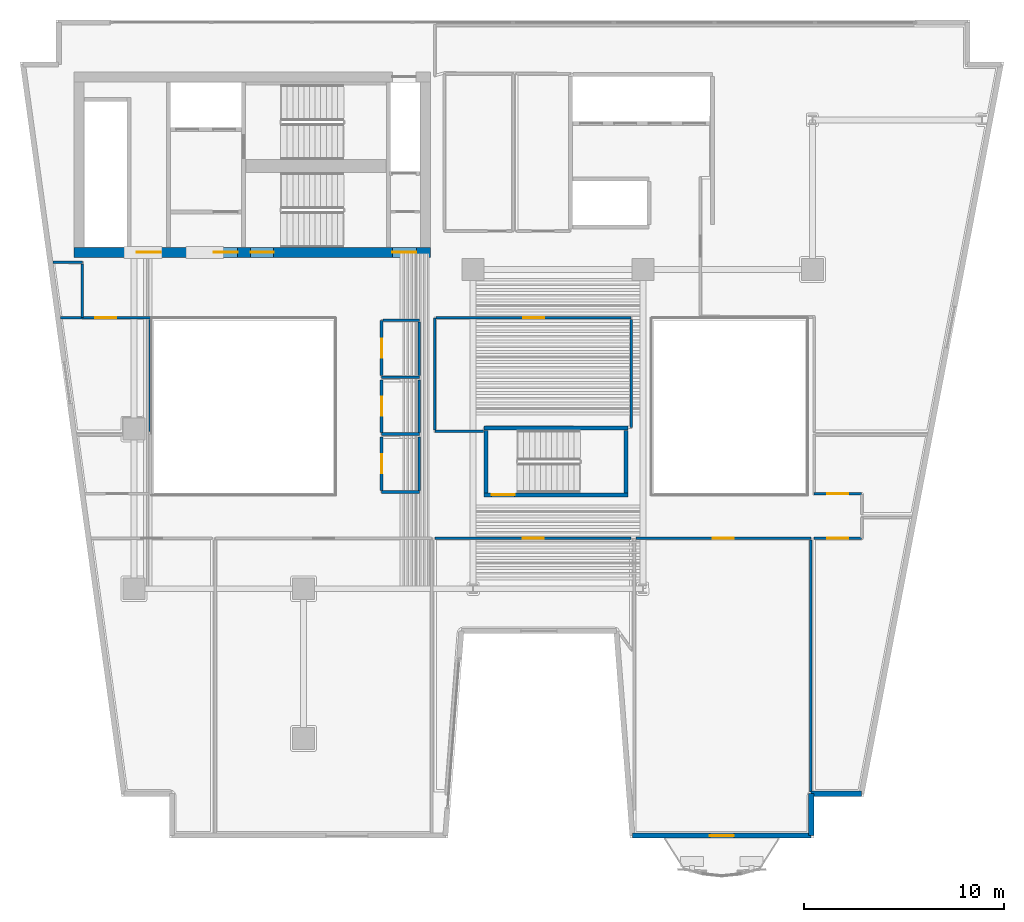
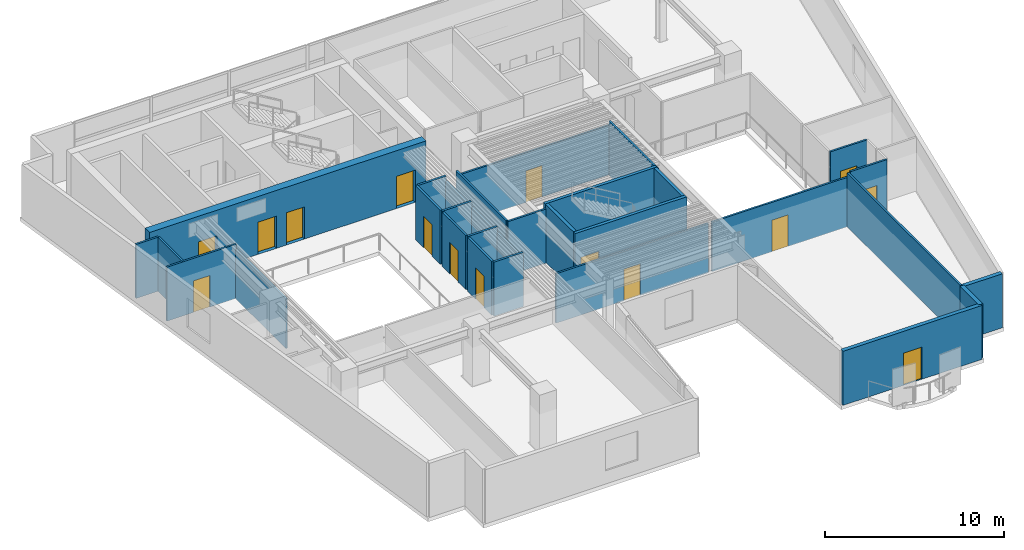
# One storey, part 6 of 13: 31 walls, 15 doors, 15 openings.
"""IFC4 building model written with IfcOpenShell, lengths in metres."""

from ifc_helpers import new_model, si_unit, direction, frame, frame_2d, origin, place, context, subcontext, project, spatial, rectangle, extrude, material, layer, layer_set, type_object, element, fill, save


model = new_model("IFC4")

# Units and contexts
model_context = context("Model", 3, precision=1e-05, world=origin(), true_north=direction((0.0, 1.0)))
body_context = subcontext(model_context, "Body", "Model", "MODEL_VIEW")
ifc_project = project(units=[si_unit("LENGTHUNIT", "METRE"), si_unit("AREAUNIT", "SQUARE_METRE"), si_unit("VOLUMEUNIT", "CUBIC_METRE"), si_unit("PLANEANGLEUNIT", "RADIAN"), si_unit("MASSUNIT", "GRAM", prefix="KILO")], contexts=[model_context])

# Site, building, storey
site_placement = place(None, origin())
site = spatial("IfcSite", under=ifc_project, at=site_placement, CompositionType="ELEMENT")
building_placement = place(site_placement, origin())
building = spatial("IfcBuilding", under=site, at=building_placement, Name="Caeloran Harvest Quay", CompositionType="ELEMENT")
storey_placement = place(building_placement, frame((0.0, 0.0, 127.199951171875)))
storey = spatial("IfcBuildingStorey", under=building, at=storey_placement, Name="L29", CompositionType="ELEMENT", Elevation=127.199951171875)

# Walls
ifc_material_1 = material(Name="Precast concrete C50/60", Category="concrete")
ifc_layer_1 = layer(ifc_material_1, 0.260009765625, Name="Precast concrete C50/60")
ifc_layer_set_1 = layer_set([ifc_layer_1], Name="Precast concrete C50/60")
wall_type_1 = type_object("IfcWallType", Name="ENV-WALL-EW-260", PredefinedType="STANDARD", material=ifc_layer_set_1)
wall_1_placement = place(storey_placement, frame((44.96337890625, 4.72998046875, 0.0), z_axis=(0.0, 0.0, 1.0), x_axis=(-1.0, 0.0, 0.0)))
element("IfcWall", 1, at=wall_1_placement, inside=storey, type_object=wall_type_1, Name="L29 Exterior Precast Concrete Facade Wall 10", PredefinedType="STANDARD", context=body_context, shape_type="SweptSolid", body=[
    extrude(rectangle(XDim=2.5234375, YDim=0.260009765625, at=frame_2d((1.26171875, 0.0))), origin(), (0.0, 0.0, 1.0), 3.68994140625),
])
wall_2_placement = place(storey_placement, frame((42.43994140625, 4.72998046875, 0.0), z_axis=(0.0, 0.0, 1.0), x_axis=(0.0, -1.0, 0.0)))
element("IfcWall", 2, at=wall_2_placement, inside=storey, type_object=wall_type_1, Name="L29 Exterior Precast Concrete Facade Wall 11", PredefinedType="STANDARD", context=body_context, shape_type="SweptSolid", body=[
    extrude(rectangle(XDim=2.10009765625, YDim=0.260009765625, at=frame_2d((1.050048828125, 0.0))), origin(), (0.0, 0.0, 1.0), 3.68994140625),
])

# Wall, opening, door
wall_3_placement = place(storey_placement, frame((42.43994140625, 2.6298828125, 0.0), z_axis=(0.0, 0.0, 1.0), x_axis=(-1.0, 0.0, 0.0)))
wall_3 = element("IfcWall", 3, at=wall_3_placement, inside=storey, type_object=wall_type_1, Name="L29 Exterior Precast Concrete Facade Wall 12", PredefinedType="STANDARD", context=body_context, shape_type="SweptSolid", body=[
    extrude(rectangle(XDim=8.96484375, YDim=0.260009765625, at=frame_2d((4.482421875, 0.0))), origin(), (0.0, 0.0, 1.0), 3.68994140625),
])
opening_1_placement = place(wall_3_placement, frame((3.882080078125, 0.0, 0.0)))
opening_1 = element("IfcOpeningElement", 4, at=opening_1_placement, cuts=wall_3, Name="Opening BD-01", PredefinedType="OPENING", context=body_context, shape_type="SweptSolid", body=[
    extrude(rectangle(XDim=1.199951171875, YDim=2.199951171875, at=frame_2d((0.60009765625, 1.10009765625))), frame((0.0, 0.14013671875, 0.0), z_axis=(0.0, -1.0, 0.0), x_axis=(1.0, 0.0, 0.0)), (0.0, 0.0, 1.0), 0.280029296875),
])
ifc_material_2 = material(Name="Thermally Broken Powder-Coated Aluminium and Safety Glass", Category="aluminium")
door_type_1 = type_object("IfcDoorType", Name="EXTDOOR-BD-01", OperationType="NOTDEFINED", PredefinedType="DOOR", material=ifc_material_2)
door_1_placement = place(opening_1_placement, origin())
door_1 = element("IfcDoor", 5, at=door_1_placement, inside=storey, type_object=door_type_1, Name="L29 Planted Balcony Glazed Access Door", OperationType="SINGLE_SWING_RIGHT", OverallHeight=2.199951171875, OverallWidth=1.199951171875, PredefinedType="DOOR", context=body_context, shape_type="SweptSolid", body=[
    extrude(rectangle(XDim=1.199951171875, YDim=2.199951171875, at=frame_2d((0.60009765625, 1.10009765625))), frame((0.0, 0.02490234375, 0.0), z_axis=(0.0, -1.0, 0.0), x_axis=(1.0, 0.0, 0.0)), (0.0, 0.0, 1.0), 0.050048828125),
])
fill(opening_1, door_1)

ifc_material_3 = material(Name="Twin-Stud Mineral-Wool Acoustic Gypsum Partition", Category="gypsum")
ifc_layer_2 = layer(ifc_material_3, 0.125, Name="Twin-Stud Mineral-Wool Acoustic Gypsum Partition")
ifc_layer_set_2 = layer_set([ifc_layer_2], Name="Twin-Stud Mineral-Wool Acoustic Gypsum Partition")
wall_type_2 = type_object("IfcWallType", Name="INT-WALL-PW-125", PredefinedType="PARTITIONING", material=ifc_layer_set_2)
wall_4_placement = place(storey_placement, frame((33.6474609375, 17.52001953125, 0.0), z_axis=(0.0, 0.0, 1.0), x_axis=(1.0, 0.0, 0.0)))
wall_4 = element("IfcWall", 6, at=wall_4_placement, inside=storey, type_object=wall_type_2, Name="Controlled-Climate Simulation Lab Partition Wall", PredefinedType="PARTITIONING", context=body_context, shape_type="SweptSolid", body=[
    extrude(rectangle(XDim=8.7724609375, YDim=0.125, at=frame_2d((4.38623046875, 0.0))), origin(), (0.0, 0.0, 1.0), 3.375),
])
opening_2_placement = place(wall_4_placement, frame((3.861328125, 0.0, 0.0)))
opening_2 = element("IfcOpeningElement", 7, at=opening_2_placement, cuts=wall_4, Name="Opening ID-03", PredefinedType="OPENING", context=body_context, shape_type="SweptSolid", body=[
    extrude(rectangle(XDim=1.050048828125, YDim=2.14990234375, at=frame_2d((0.52490234375, 1.074951171875))), frame((0.0, 0.072509765625, 0.0), z_axis=(0.0, -1.0, 0.0), x_axis=(1.0, 0.0, 0.0)), (0.0, 0.0, 1.0), 0.14501953125),
])
ifc_material_4 = material(Name="FSC Solid-Core Oak Timber Leaf", Category="wood")
door_type_2 = type_object("IfcDoorType", Name="INTDOOR-ID-03", OperationType="NOTDEFINED", PredefinedType="DOOR", material=ifc_material_4)
door_2_placement = place(opening_2_placement, origin())
door_2 = element("IfcDoor", 8, at=door_2_placement, inside=storey, type_object=door_type_2, Name="Controlled-Climate Simulation Lab Access Door", OperationType="SINGLE_SWING_RIGHT", OverallHeight=2.14990234375, OverallWidth=1.050048828125, PredefinedType="DOOR", context=body_context, shape_type="SweptSolid", body=[
    extrude(rectangle(XDim=1.050048828125, YDim=2.14990234375, at=frame_2d((0.52490234375, 1.074951171875))), frame((0.0, 0.02490234375, 0.0), z_axis=(0.0, -1.0, 0.0), x_axis=(1.0, 0.0, 0.0)), (0.0, 0.0, 1.0), 0.050048828125),
])
fill(opening_2, door_2)

# Wall
wall_5_placement = place(storey_placement, frame((42.419921875, 17.452392578125, 0.0), z_axis=(0.0, 0.0, 1.0), x_axis=(0.0, -1.0, 0.0)))
element("IfcWall", 9, at=wall_5_placement, inside=storey, type_object=wall_type_2, Name="Controlled-Climate Simulation Lab Partition Wall", PredefinedType="PARTITIONING", context=body_context, shape_type="SweptSolid", body=[
    extrude(rectangle(XDim=12.64794921875, YDim=0.125, at=frame_2d((6.323974609375, 0.0))), origin(), (0.0, 0.0, 1.0), 3.68994140625),
])

# Wall, opening, door
wall_6_placement = place(storey_placement, frame((42.580078125, 17.52001953125, 0.0), z_axis=(0.0, 0.0, 1.0), x_axis=(1.0, 0.0, 0.0)))
wall_6 = element("IfcWall", 10, at=wall_6_placement, inside=storey, type_object=wall_type_2, Name="Bio-Security Compliance Office Partition Wall", PredefinedType="PARTITIONING", context=body_context, shape_type="SweptSolid", body=[
    extrude(rectangle(XDim=2.369873046875, YDim=0.125, at=frame_2d((1.18505859375, 0.0))), origin(), (0.0, 0.0, 1.0), 3.68994140625),
])
opening_3_placement = place(wall_6_placement, frame((0.659912109375, 0.0, 0.0)))
opening_3 = element("IfcOpeningElement", 11, at=opening_3_placement, cuts=wall_6, Name="Opening ID-03", PredefinedType="OPENING", context=body_context, shape_type="SweptSolid", body=[
    extrude(rectangle(XDim=1.050048828125, YDim=2.14990234375, at=frame_2d((0.52490234375, 1.074951171875))), frame((0.0, 0.072509765625, 0.0), z_axis=(0.0, -1.0, 0.0), x_axis=(1.0, 0.0, 0.0)), (0.0, 0.0, 1.0), 0.14501953125),
])
door_3_placement = place(opening_3_placement, origin())
door_3 = element("IfcDoor", 12, at=door_3_placement, inside=storey, type_object=door_type_2, Name="Bio-Security Compliance Office Access Door", OperationType="SINGLE_SWING_RIGHT", OverallHeight=2.14990234375, OverallWidth=1.050048828125, PredefinedType="DOOR", context=body_context, shape_type="SweptSolid", body=[
    extrude(rectangle(XDim=1.050048828125, YDim=2.14990234375, at=frame_2d((0.52490234375, 1.074951171875))), frame((0.0, 0.02490234375, 0.0), z_axis=(0.0, -1.0, 0.0), x_axis=(1.0, 0.0, 0.0)), (0.0, 0.0, 1.0), 0.050048828125),
])
fill(opening_3, door_3)

wall_7_placement = place(storey_placement, frame((23.580078125, 17.52001953125, 0.0), z_axis=(0.0, 0.0, 1.0), x_axis=(1.0, 0.0, 0.0)))
wall_7 = element("IfcWall", 13, at=wall_7_placement, inside=storey, type_object=wall_type_2, Name="Boardroom and Client Briefing Room Partition Wall", PredefinedType="PARTITIONING", context=body_context, shape_type="SweptSolid", body=[
    extrude(rectangle(XDim=9.83984375, YDim=0.125, at=frame_2d((4.919921875, 0.0))), origin(), (0.0, 0.0, 1.0), 3.375),
])
opening_4_placement = place(wall_7_placement, frame((4.39501953125, 0.0, 0.0)))
opening_4 = element("IfcOpeningElement", 14, at=opening_4_placement, cuts=wall_7, Name="Opening ID-03", PredefinedType="OPENING", context=body_context, shape_type="SweptSolid", body=[
    extrude(rectangle(XDim=1.050048828125, YDim=2.14990234375, at=frame_2d((0.52490234375, 1.074951171875))), frame((0.0, 0.072509765625, 0.0), z_axis=(0.0, -1.0, 0.0), x_axis=(1.0, 0.0, 0.0)), (0.0, 0.0, 1.0), 0.14501953125),
])
door_4_placement = place(opening_4_placement, origin())
door_4 = element("IfcDoor", 15, at=door_4_placement, inside=storey, type_object=door_type_2, Name="Boardroom and Client Briefing Room Access Door", OperationType="SINGLE_SWING_LEFT", OverallHeight=2.14990234375, OverallWidth=1.050048828125, PredefinedType="DOOR", context=body_context, shape_type="SweptSolid", body=[
    extrude(rectangle(XDim=1.050048828125, YDim=2.14990234375, at=frame_2d((0.52490234375, 1.074951171875))), frame((0.0, 0.02490234375, 0.0), z_axis=(0.0, -1.0, 0.0), x_axis=(1.0, 0.0, 0.0)), (0.0, 0.0, 1.0), 0.050048828125),
])
fill(opening_4, door_4)

wall_8_placement = place(storey_placement, frame((44.949951171875, 19.75, 0.0), z_axis=(0.0, 0.0, 1.0), x_axis=(-1.0, 0.0, 0.0)))
wall_8 = element("IfcWall", 16, at=wall_8_placement, inside=storey, type_object=wall_type_2, Name="Research Library Study Room Partition Wall", PredefinedType="PARTITIONING", context=body_context, shape_type="SweptSolid", body=[
    extrude(rectangle(XDim=2.369873046875, YDim=0.125, at=frame_2d((1.18505859375, 0.0))), origin(), (0.0, 0.0, 1.0), 3.68994140625),
])
opening_5_placement = place(wall_8_placement, frame((0.659912109375, 0.0, 0.0)))
opening_5 = element("IfcOpeningElement", 17, at=opening_5_placement, cuts=wall_8, Name="Opening ID-03", PredefinedType="OPENING", context=body_context, shape_type="SweptSolid", body=[
    extrude(rectangle(XDim=1.050048828125, YDim=2.14990234375, at=frame_2d((0.52490234375, 1.074951171875))), frame((0.0, 0.072509765625, 0.0), z_axis=(0.0, -1.0, 0.0), x_axis=(1.0, 0.0, 0.0)), (0.0, 0.0, 1.0), 0.14501953125),
])
door_5_placement = place(opening_5_placement, origin())
door_5 = element("IfcDoor", 18, at=door_5_placement, inside=storey, type_object=door_type_2, Name="Research Library Study Room Access Door", OperationType="SINGLE_SWING_RIGHT", OverallHeight=2.14990234375, OverallWidth=1.050048828125, PredefinedType="DOOR", context=body_context, shape_type="SweptSolid", body=[
    extrude(rectangle(XDim=1.050048828125, YDim=2.14990234375, at=frame_2d((0.52490234375, 1.074951171875))), frame((0.0, 0.02490234375, 0.0), z_axis=(0.0, -1.0, 0.0), x_axis=(1.0, 0.0, 0.0)), (0.0, 0.0, 1.0), 0.050048828125),
])
fill(opening_5, door_5)

# Walls
wall_9_placement = place(storey_placement, frame((26.02490234375, 22.8798828125, 0.0), z_axis=(0.0, 0.0, 1.0), x_axis=(-1.0, 0.0, 0.0)))
element("IfcWall", 19, at=wall_9_placement, inside=storey, type_object=wall_type_2, Name="Server Rack Laboratory Partition Wall", PredefinedType="PARTITIONING", context=body_context, shape_type="SweptSolid", body=[
    extrude(rectangle(XDim=2.44482421875, YDim=0.125, at=frame_2d((1.222412109375, 0.0))), origin(), (0.0, 0.0, 1.0), 3.68994140625),
])
wall_10_placement = place(storey_placement, frame((23.580078125, 22.947509765625, 0.0), z_axis=(0.0, 0.0, 1.0), x_axis=(0.0, 1.0, 0.0)))
element("IfcWall", 20, at=wall_10_placement, inside=storey, type_object=wall_type_2, Name="Server Rack Laboratory Partition Wall", PredefinedType="PARTITIONING", context=body_context, shape_type="SweptSolid", body=[
    extrude(rectangle(XDim=5.62255859375, YDim=0.125, at=frame_2d((2.811279296875, 0.0))), origin(), (0.0, 0.0, 1.0), 3.68994140625),
])

# Wall, opening, door
wall_11_placement = place(storey_placement, frame((23.6474609375, 28.570068359375, 0.0), z_axis=(0.0, 0.0, 1.0), x_axis=(1.0, 0.0, 0.0)))
wall_11 = element("IfcWall", 21, at=wall_11_placement, inside=storey, type_object=wall_type_2, Name="Server Rack Laboratory Partition Wall", PredefinedType="PARTITIONING", context=body_context, shape_type="SweptSolid", body=[
    extrude(rectangle(XDim=9.7724609375, YDim=0.125, at=frame_2d((4.88623046875, 0.0))), origin(), (0.0, 0.0, 1.0), 3.375),
])
opening_6_placement = place(wall_11_placement, frame((4.361328125, 0.0, 0.0)))
opening_6 = element("IfcOpeningElement", 22, at=opening_6_placement, cuts=wall_11, Name="Opening ID-03", PredefinedType="OPENING", context=body_context, shape_type="SweptSolid", body=[
    extrude(rectangle(XDim=1.050048828125, YDim=2.14990234375, at=frame_2d((0.52490234375, 1.074951171875))), frame((0.0, 0.072509765625, 0.0), z_axis=(0.0, -1.0, 0.0), x_axis=(1.0, 0.0, 0.0)), (0.0, 0.0, 1.0), 0.14501953125),
])
door_6_placement = place(opening_6_placement, origin())
door_6 = element("IfcDoor", 23, at=door_6_placement, inside=storey, type_object=door_type_2, Name="Server Rack Laboratory Access Door", OperationType="SINGLE_SWING_RIGHT", OverallHeight=2.14990234375, OverallWidth=1.050048828125, PredefinedType="DOOR", context=body_context, shape_type="SweptSolid", body=[
    extrude(rectangle(XDim=1.050048828125, YDim=2.14990234375, at=frame_2d((0.52490234375, 1.074951171875))), frame((0.0, 0.02490234375, 0.0), z_axis=(0.0, -1.0, 0.0), x_axis=(1.0, 0.0, 0.0)), (0.0, 0.0, 1.0), 0.050048828125),
])
fill(opening_6, door_6)

# Walls
wall_12_placement = place(storey_placement, frame((33.419921875, 28.50244140625, 0.0), z_axis=(0.0, 0.0, 1.0), x_axis=(0.0, -1.0, 0.0)))
element("IfcWall", 24, at=wall_12_placement, inside=storey, type_object=wall_type_2, Name="Server Rack Laboratory Partition Wall", PredefinedType="PARTITIONING", context=body_context, shape_type="SweptSolid", body=[
    extrude(rectangle(XDim=5.42236328125, YDim=0.125, at=frame_2d((2.711181640625, 0.0))), origin(), (0.0, 0.0, 1.0), 3.68994140625),
])
wall_13_placement = place(storey_placement, frame((4.44775390625, 31.35009765625, 0.0), z_axis=(0.0, 0.0, 1.0), x_axis=(1.0, 0.0, 0.0)))
element("IfcWall", 25, at=wall_13_placement, inside=storey, type_object=wall_type_2, Name="Precision Agriculture Engineering Office 9 Partition Wall", PredefinedType="PARTITIONING", context=body_context, shape_type="SweptSolid", body=[
    extrude(rectangle(XDim=1.47216796875, YDim=0.125, at=frame_2d((0.736083984375, 0.0))), origin(), (0.0, 0.0, 1.0), 3.68994140625),
])
wall_14_placement = place(storey_placement, frame((5.919921875, 31.282470703125, 0.0), z_axis=(0.0, 0.0, 1.0), x_axis=(0.0, -1.0, 0.0)))
element("IfcWall", 26, at=wall_14_placement, inside=storey, type_object=wall_type_2, Name="Precision Agriculture Engineering Office 9 Partition Wall", PredefinedType="PARTITIONING", context=body_context, shape_type="SweptSolid", body=[
    extrude(rectangle(XDim=2.682373046875, YDim=0.125, at=frame_2d((1.34130859375, 0.0))), origin(), (0.0, 0.0, 1.0), 3.68994140625),
])

# Wall, opening, door
wall_15_placement = place(storey_placement, frame((4.832275390625, 28.570068359375, 0.0), z_axis=(0.0, 0.0, 1.0), x_axis=(1.0, 0.0, 0.0)))
wall_15 = element("IfcWall", 27, at=wall_15_placement, inside=storey, type_object=wall_type_2, Name="Precision Agriculture Engineering Office 9 Partition Wall", PredefinedType="PARTITIONING", context=body_context, shape_type="SweptSolid", body=[
    extrude(rectangle(XDim=4.48779296875, YDim=0.125, at=frame_2d((2.243896484375, 0.0))), origin(), (0.0, 0.0, 1.0), 3.68994140625),
])
opening_7_placement = place(wall_15_placement, frame((1.718994140625, 0.0, 0.0)))
opening_7 = element("IfcOpeningElement", 28, at=opening_7_placement, cuts=wall_15, Name="Opening ID-03", PredefinedType="OPENING", context=body_context, shape_type="SweptSolid", body=[
    extrude(rectangle(XDim=1.050048828125, YDim=2.14990234375, at=frame_2d((0.52490234375, 1.074951171875))), frame((0.0, 0.072509765625, 0.0), z_axis=(0.0, -1.0, 0.0), x_axis=(1.0, 0.0, 0.0)), (0.0, 0.0, 1.0), 0.14501953125),
])
door_7_placement = place(opening_7_placement, origin())
door_7 = element("IfcDoor", 29, at=door_7_placement, inside=storey, type_object=door_type_2, Name="Precision Agriculture Engineering Office 9 Access Door", OperationType="SINGLE_SWING_LEFT", OverallHeight=2.14990234375, OverallWidth=1.050048828125, PredefinedType="DOOR", context=body_context, shape_type="SweptSolid", body=[
    extrude(rectangle(XDim=1.050048828125, YDim=2.14990234375, at=frame_2d((0.52490234375, 1.074951171875))), frame((0.0, 0.02490234375, 0.0), z_axis=(0.0, -1.0, 0.0), x_axis=(1.0, 0.0, 0.0)), (0.0, 0.0, 1.0), 0.050048828125),
])
fill(opening_7, door_7)

# Walls
wall_16_placement = place(storey_placement, frame((9.320068359375, 28.50244140625, 0.0), z_axis=(0.0, 0.0, 1.0), x_axis=(0.0, -1.0, 0.0)))
element("IfcWall", 30, at=wall_16_placement, inside=storey, type_object=wall_type_2, Name="Precision Agriculture Engineering Office 9 Partition Wall", PredefinedType="PARTITIONING", context=body_context, shape_type="SweptSolid", body=[
    extrude(rectangle(XDim=5.62255859375, YDim=0.125, at=frame_2d((2.811279296875, 0.0))), origin(), (0.0, 0.0, 1.0), 3.375),
])
ifc_material_5 = material(Name="Moisture-Resistant Cement-Board Sanitary Partition", Category="gypsum")
ifc_layer_3 = layer(ifc_material_5, 0.139892578125, Name="Moisture-Resistant Cement-Board Sanitary Partition")
ifc_layer_set_3 = layer_set([ifc_layer_3], Name="Moisture-Resistant Cement-Board Sanitary Partition")
wall_type_3 = type_object("IfcWallType", Name="INT-WALL-PW-140", PredefinedType="PARTITIONING", material=ifc_layer_set_3)
wall_17_placement = place(storey_placement, frame((22.800048828125, 25.60009765625, 0.0), z_axis=(0.0, 0.0, 1.0), x_axis=(-1.0, 0.0, 0.0)))
element("IfcWall", 31, at=wall_17_placement, inside=storey, type_object=wall_type_3, Name="L29 Male Washroom WC Partition Wall", PredefinedType="PARTITIONING", context=body_context, shape_type="SweptSolid", body=[
    extrude(rectangle(XDim=1.89013671875, YDim=0.139892578125, at=frame_2d((0.945068359375, 0.0))), origin(), (0.0, 0.0, 1.0), 3.68994140625),
])

# Wall, opening, door
wall_18_placement = place(storey_placement, frame((20.909912109375, 25.675048828125, 0.0), z_axis=(0.0, 0.0, 1.0), x_axis=(0.0, 1.0, 0.0)))
wall_18 = element("IfcWall", 32, at=wall_18_placement, inside=storey, type_object=wall_type_3, Name="L29 Male Washroom WC Partition Wall", PredefinedType="PARTITIONING", context=body_context, shape_type="SweptSolid", body=[
    extrude(rectangle(XDim=2.77490234375, YDim=0.139892578125, at=frame_2d((1.387451171875, 0.0))), origin(), (0.0, 0.0, 1.0), 3.68994140625),
])
opening_8_placement = place(wall_18_placement, frame((0.91259765625, 0.0, 0.0)))
opening_8 = element("IfcOpeningElement", 33, at=opening_8_placement, cuts=wall_18, Name="Opening WC-01", PredefinedType="OPENING", context=body_context, shape_type="SweptSolid", body=[
    extrude(rectangle(XDim=0.949951171875, YDim=2.14990234375, at=frame_2d((0.47509765625, 1.074951171875))), frame((0.0, 0.080078125, 0.0), z_axis=(0.0, -1.0, 0.0), x_axis=(1.0, 0.0, 0.0)), (0.0, 0.0, 1.0), 0.159912109375),
])
ifc_material_6 = material(Name="High-Pressure Laminate Moisture-Resistant Timber", Category="wood")
door_type_3 = type_object("IfcDoorType", Name="INTDOOR-WC-01", OperationType="NOTDEFINED", PredefinedType="DOOR", material=ifc_material_6)
door_8_placement = place(opening_8_placement, origin())
door_8 = element("IfcDoor", 34, at=door_8_placement, inside=storey, type_object=door_type_3, Name="L29 Male Washroom WC Access Door", OperationType="SINGLE_SWING_RIGHT", OverallHeight=2.14990234375, OverallWidth=0.949951171875, PredefinedType="DOOR", context=body_context, shape_type="SweptSolid", body=[
    extrude(rectangle(XDim=0.949951171875, YDim=2.14990234375, at=frame_2d((0.47509765625, 1.074951171875))), frame((0.0, 0.02490234375, 0.0), z_axis=(0.0, -1.0, 0.0), x_axis=(1.0, 0.0, 0.0)), (0.0, 0.0, 1.0), 0.050048828125),
])
fill(opening_8, door_8)

# Walls
wall_19_placement = place(storey_placement, frame((20.985107421875, 28.449951171875, 0.0), z_axis=(0.0, 0.0, 1.0), x_axis=(1.0, 0.0, 0.0)))
element("IfcWall", 35, at=wall_19_placement, inside=storey, type_object=wall_type_3, Name="L29 Male Washroom WC Partition Wall", PredefinedType="PARTITIONING", context=body_context, shape_type="SweptSolid", body=[
    extrude(rectangle(XDim=1.81494140625, YDim=0.139892578125, at=frame_2d((0.907470703125, 0.0))), origin(), (0.0, 0.0, 1.0), 3.68994140625),
])
wall_20_placement = place(storey_placement, frame((22.800048828125, 28.375, 0.0), z_axis=(0.0, 0.0, 1.0), x_axis=(0.0, -1.0, 0.0)))
element("IfcWall", 36, at=wall_20_placement, inside=storey, type_object=wall_type_3, Name="L29 Male Washroom WC Partition Wall", PredefinedType="PARTITIONING", context=body_context, shape_type="SweptSolid", body=[
    extrude(rectangle(XDim=2.699951171875, YDim=0.139892578125, at=frame_2d((1.35009765625, 0.0))), origin(), (0.0, 0.0, 1.0), 3.375),
])
wall_21_placement = place(storey_placement, frame((22.800048828125, 22.75, 0.0), z_axis=(0.0, 0.0, 1.0), x_axis=(-1.0, 0.0, 0.0)))
element("IfcWall", 37, at=wall_21_placement, inside=storey, type_object=wall_type_3, Name="L29 Female Washroom WC Partition Wall", PredefinedType="PARTITIONING", context=body_context, shape_type="SweptSolid", body=[
    extrude(rectangle(XDim=1.89013671875, YDim=0.139892578125, at=frame_2d((0.945068359375, 0.0))), origin(), (0.0, 0.0, 1.0), 3.68994140625),
])

# Wall, opening, door
wall_22_placement = place(storey_placement, frame((20.909912109375, 22.824951171875, 0.0), z_axis=(0.0, 0.0, 1.0), x_axis=(0.0, 1.0, 0.0)))
wall_22 = element("IfcWall", 38, at=wall_22_placement, inside=storey, type_object=wall_type_3, Name="L29 Female Washroom WC Partition Wall", PredefinedType="PARTITIONING", context=body_context, shape_type="SweptSolid", body=[
    extrude(rectangle(XDim=2.625, YDim=0.139892578125, at=frame_2d((1.3125, 0.0))), origin(), (0.0, 0.0, 1.0), 3.68994140625),
])
opening_9_placement = place(wall_22_placement, frame((0.83740234375, 0.0, 0.0)))
opening_9 = element("IfcOpeningElement", 39, at=opening_9_placement, cuts=wall_22, Name="Opening WC-01", PredefinedType="OPENING", context=body_context, shape_type="SweptSolid", body=[
    extrude(rectangle(XDim=0.949951171875, YDim=2.14990234375, at=frame_2d((0.47509765625, 1.074951171875))), frame((0.0, 0.080078125, 0.0), z_axis=(0.0, -1.0, 0.0), x_axis=(1.0, 0.0, 0.0)), (0.0, 0.0, 1.0), 0.159912109375),
])
door_9_placement = place(opening_9_placement, origin())
door_9 = element("IfcDoor", 40, at=door_9_placement, inside=storey, type_object=door_type_3, Name="L29 Female Washroom WC Access Door", OperationType="SINGLE_SWING_LEFT", OverallHeight=2.14990234375, OverallWidth=0.949951171875, PredefinedType="DOOR", context=body_context, shape_type="SweptSolid", body=[
    extrude(rectangle(XDim=0.949951171875, YDim=2.14990234375, at=frame_2d((0.47509765625, 1.074951171875))), frame((0.0, 0.02490234375, 0.0), z_axis=(0.0, -1.0, 0.0), x_axis=(1.0, 0.0, 0.0)), (0.0, 0.0, 1.0), 0.050048828125),
])
fill(opening_9, door_9)

# Walls
wall_23_placement = place(storey_placement, frame((22.800048828125, 25.449951171875, 0.0), z_axis=(0.0, 0.0, 1.0), x_axis=(0.0, -1.0, 0.0)))
element("IfcWall", 41, at=wall_23_placement, inside=storey, type_object=wall_type_3, Name="L29 Female Washroom WC Partition Wall", PredefinedType="PARTITIONING", context=body_context, shape_type="SweptSolid", body=[
    extrude(rectangle(XDim=2.625, YDim=0.139892578125, at=frame_2d((1.3125, 0.0))), origin(), (0.0, 0.0, 1.0), 3.375),
])
wall_24_placement = place(storey_placement, frame((22.800048828125, 19.85009765625, 0.0), z_axis=(0.0, 0.0, 1.0), x_axis=(-1.0, 0.0, 0.0)))
element("IfcWall", 42, at=wall_24_placement, inside=storey, type_object=wall_type_3, Name="L29 Accessible Unisex Washroom WC Partition Wall", PredefinedType="PARTITIONING", context=body_context, shape_type="SweptSolid", body=[
    extrude(rectangle(XDim=1.89013671875, YDim=0.139892578125, at=frame_2d((0.945068359375, 0.0))), origin(), (0.0, 0.0, 1.0), 3.68994140625),
])

# Wall, opening, door
wall_25_placement = place(storey_placement, frame((20.909912109375, 19.925048828125, 0.0), z_axis=(0.0, 0.0, 1.0), x_axis=(0.0, 1.0, 0.0)))
wall_25 = element("IfcWall", 43, at=wall_25_placement, inside=storey, type_object=wall_type_3, Name="L29 Accessible Unisex Washroom WC Partition Wall", PredefinedType="PARTITIONING", context=body_context, shape_type="SweptSolid", body=[
    extrude(rectangle(XDim=2.675048828125, YDim=0.139892578125, at=frame_2d((1.33740234375, 0.0))), origin(), (0.0, 0.0, 1.0), 3.68994140625),
])
opening_10_placement = place(wall_25_placement, frame((0.862548828125, 0.0, 0.0)))
opening_10 = element("IfcOpeningElement", 44, at=opening_10_placement, cuts=wall_25, Name="Opening WC-01", PredefinedType="OPENING", context=body_context, shape_type="SweptSolid", body=[
    extrude(rectangle(XDim=0.949951171875, YDim=2.14990234375, at=frame_2d((0.47509765625, 1.074951171875))), frame((0.0, 0.080078125, 0.0), z_axis=(0.0, -1.0, 0.0), x_axis=(1.0, 0.0, 0.0)), (0.0, 0.0, 1.0), 0.159912109375),
])
door_10_placement = place(opening_10_placement, origin())
door_10 = element("IfcDoor", 45, at=door_10_placement, inside=storey, type_object=door_type_3, Name="L29 Accessible Unisex Washroom WC Access Door", OperationType="SINGLE_SWING_RIGHT", OverallHeight=2.14990234375, OverallWidth=0.949951171875, PredefinedType="DOOR", context=body_context, shape_type="SweptSolid", body=[
    extrude(rectangle(XDim=0.949951171875, YDim=2.14990234375, at=frame_2d((0.47509765625, 1.074951171875))), frame((0.0, 0.02490234375, 0.0), z_axis=(0.0, -1.0, 0.0), x_axis=(1.0, 0.0, 0.0)), (0.0, 0.0, 1.0), 0.050048828125),
])
fill(opening_10, door_10)

# Wall
wall_26_placement = place(storey_placement, frame((22.800048828125, 22.60009765625, 0.0), z_axis=(0.0, 0.0, 1.0), x_axis=(0.0, -1.0, 0.0)))
element("IfcWall", 46, at=wall_26_placement, inside=storey, type_object=wall_type_3, Name="L29 Accessible Unisex Washroom WC Partition Wall", PredefinedType="PARTITIONING", context=body_context, shape_type="SweptSolid", body=[
    extrude(rectangle(XDim=2.675048828125, YDim=0.139892578125, at=frame_2d((1.33740234375, 0.0))), origin(), (0.0, 0.0, 1.0), 3.375),
])

# Wall, openings, doors
ifc_material_7 = material(Name="Concrete C70/85", Category="concrete")
ifc_layer_4 = layer(ifc_material_7, 0.5, Name="Concrete C70/85")
ifc_layer_set_4 = layer_set([ifc_layer_4], Name="Concrete C70/85")
wall_type_4 = type_object("IfcWallType", Name="STR-WALL-CW-500", PredefinedType="SHEAR", material=ifc_layer_set_4)
wall_27_placement = place(storey_placement, frame((5.5, 31.85009765625, 0.0), z_axis=(0.0, 0.0, 1.0), x_axis=(1.0, 0.0, 0.0)))
wall_27 = element("IfcWall", 47, at=wall_27_placement, inside=storey, type_object=wall_type_4, Name="L29 Rear Core Shear Wall S", PredefinedType="SHEAR", context=body_context, shape_type="SweptSolid", body=[
    extrude(rectangle(XDim=17.85009765625, YDim=0.5, at=frame_2d((8.925048828125, 0.0))), origin(), (0.0, 0.0, 1.0), 3.949951171875),
])
opening_11_placement = place(wall_27_placement, frame((3.14990234375, 0.0, 0.0)))
opening_11 = element("IfcOpeningElement", 48, at=opening_11_placement, cuts=wall_27, Name="Opening FD-01", PredefinedType="OPENING", context=body_context, shape_type="SweptSolid", body=[
    extrude(rectangle(XDim=1.199951171875, YDim=2.199951171875, at=frame_2d((0.60009765625, 1.10009765625))), frame((0.0, 0.260009765625, 0.0), z_axis=(0.0, -1.0, 0.0), x_axis=(1.0, 0.0, 0.0)), (0.0, 0.0, 1.0), 0.52001953125),
])
opening_12_placement = place(wall_27_placement, frame((7.0, 0.0, 0.0)))
opening_12 = element("IfcOpeningElement", 49, at=opening_12_placement, cuts=wall_27, Name="Opening FD-01", PredefinedType="OPENING", context=body_context, shape_type="SweptSolid", body=[
    extrude(rectangle(XDim=1.199951171875, YDim=2.199951171875, at=frame_2d((0.60009765625, 1.10009765625))), frame((0.0, 0.260009765625, 0.0), z_axis=(0.0, -1.0, 0.0), x_axis=(1.0, 0.0, 0.0)), (0.0, 0.0, 1.0), 0.52001953125),
])
opening_13_placement = place(wall_27_placement, frame((8.85009765625, 0.0, 0.0)))
opening_13 = element("IfcOpeningElement", 50, at=opening_13_placement, cuts=wall_27, Name="Opening SD-01", PredefinedType="OPENING", context=body_context, shape_type="SweptSolid", body=[
    extrude(rectangle(XDim=1.14990234375, YDim=2.199951171875, at=frame_2d((0.574951171875, 1.10009765625))), frame((0.0, 0.260009765625, 0.0), z_axis=(0.0, -1.0, 0.0), x_axis=(1.0, 0.0, 0.0)), (0.0, 0.0, 1.0), 0.52001953125),
])
opening_14_placement = place(wall_27_placement, frame((15.949951171875, 0.0, 0.0)))
opening_14 = element("IfcOpeningElement", 51, at=opening_14_placement, cuts=wall_27, Name="Opening FD-01", PredefinedType="OPENING", context=body_context, shape_type="SweptSolid", body=[
    extrude(rectangle(XDim=1.199951171875, YDim=2.199951171875, at=frame_2d((0.60009765625, 1.10009765625))), frame((0.0, 0.260009765625, 0.0), z_axis=(0.0, -1.0, 0.0), x_axis=(1.0, 0.0, 0.0)), (0.0, 0.0, 1.0), 0.52001953125),
])
ifc_material_8 = material(Name="Steel", Category="steel")
door_type_4 = type_object("IfcDoorType", Name="INTDOOR-FD-01", OperationType="NOTDEFINED", PredefinedType="DOOR", material=ifc_material_8)
door_11_placement = place(opening_11_placement, origin())
door_11 = element("IfcDoor", 52, at=door_11_placement, inside=storey, type_object=door_type_4, Name="L29 High-Rise Lift Lobby Fire Door", OperationType="SINGLE_SWING_LEFT", OverallHeight=2.199951171875, OverallWidth=1.199951171875, PredefinedType="DOOR", context=body_context, shape_type="SweptSolid", body=[
    extrude(rectangle(XDim=1.199951171875, YDim=2.199951171875, at=frame_2d((0.60009765625, 1.10009765625))), frame((0.0, 0.02490234375, 0.0), z_axis=(0.0, -1.0, 0.0), x_axis=(1.0, 0.0, 0.0)), (0.0, 0.0, 1.0), 0.050048828125),
])
fill(opening_11, door_11)
door_12_placement = place(opening_12_placement, origin())
door_12 = element("IfcDoor", 53, at=door_12_placement, inside=storey, type_object=door_type_4, Name="L29 Firefighting Lobby Vestibule Fire Door", OperationType="SINGLE_SWING_RIGHT", OverallHeight=2.199951171875, OverallWidth=1.199951171875, PredefinedType="DOOR", context=body_context, shape_type="SweptSolid", body=[
    extrude(rectangle(XDim=1.199951171875, YDim=2.199951171875, at=frame_2d((0.60009765625, 1.10009765625))), frame((0.0, 0.02490234375, 0.0), z_axis=(0.0, -1.0, 0.0), x_axis=(1.0, 0.0, 0.0)), (0.0, 0.0, 1.0), 0.050048828125),
])
fill(opening_12, door_12)
door_13_placement = place(opening_14_placement, origin())
door_13 = element("IfcDoor", 54, at=door_13_placement, inside=storey, type_object=door_type_4, Name="L29 Service Lift Lobby Fire Door", OperationType="SINGLE_SWING_RIGHT", OverallHeight=2.199951171875, OverallWidth=1.199951171875, PredefinedType="DOOR", context=body_context, shape_type="SweptSolid", body=[
    extrude(rectangle(XDim=1.199951171875, YDim=2.199951171875, at=frame_2d((0.60009765625, 1.10009765625))), frame((0.0, 0.02490234375, 0.0), z_axis=(0.0, -1.0, 0.0), x_axis=(1.0, 0.0, 0.0)), (0.0, 0.0, 1.0), 0.050048828125),
])
fill(opening_14, door_13)
door_type_5 = type_object("IfcDoorType", Name="INTDOOR-SD-01", OperationType="NOTDEFINED", PredefinedType="DOOR", material=ifc_material_8)
door_14_placement = place(opening_13_placement, origin())
door_14 = element("IfcDoor", 55, at=door_14_placement, inside=storey, type_object=door_type_5, Name="L29 Protected Stair ST-C2 Exit Door", OperationType="SINGLE_SWING_LEFT", OverallHeight=2.199951171875, OverallWidth=1.14990234375, PredefinedType="DOOR", context=body_context, shape_type="SweptSolid", body=[
    extrude(rectangle(XDim=1.14990234375, YDim=2.199951171875, at=frame_2d((0.574951171875, 1.10009765625))), frame((0.0, 0.02490234375, 0.0), z_axis=(0.0, -1.0, 0.0), x_axis=(1.0, 0.0, 0.0)), (0.0, 0.0, 1.0), 0.050048828125),
])
fill(opening_13, door_14)

# Wall, opening, door
ifc_material_9 = material(Name="Concrete C60/75", Category="concrete")
ifc_layer_5 = layer(ifc_material_9, 0.199951171875, Name="Concrete C60/75")
ifc_layer_set_5 = layer_set([ifc_layer_5], Name="Concrete C60/75")
wall_type_5 = type_object("IfcWallType", Name="STR-WALL-SW-200", PredefinedType="SHEAR", material=ifc_layer_set_5)
wall_28_placement = place(storey_placement, frame((26.050048828125, 19.699951171875, 0.0), z_axis=(0.0, 0.0, 1.0), x_axis=(1.0, 0.0, 0.0)))
wall_28 = element("IfcWall", 56, at=wall_28_placement, inside=storey, type_object=wall_type_5, Name="L29 Stair ST-W1 S RC Shaft Shear Wall", PredefinedType="SHEAR", context=body_context, shape_type="SweptSolid", body=[
    extrude(rectangle(XDim=7.199951171875, YDim=0.199951171875, at=frame_2d((3.60009765625, 0.0))), origin(), (0.0, 0.0, 1.0), 3.949951171875),
])
opening_15_placement = place(wall_28_placement, frame((0.3798828125, 0.0, 0.0)))
opening_15 = element("IfcOpeningElement", 57, at=opening_15_placement, cuts=wall_28, Name="Opening SD-01", PredefinedType="OPENING", context=body_context, shape_type="SweptSolid", body=[
    extrude(rectangle(XDim=1.14990234375, YDim=2.199951171875, at=frame_2d((0.574951171875, 1.10009765625))), frame((0.0, 0.10986328125, 0.0), z_axis=(0.0, -1.0, 0.0), x_axis=(1.0, 0.0, 0.0)), (0.0, 0.0, 1.0), 0.219970703125),
])
door_15_placement = place(opening_15_placement, origin())
door_15 = element("IfcDoor", 58, at=door_15_placement, inside=storey, type_object=door_type_5, Name="L29 Protected Exit Stair ST-W1 Fire Door", OperationType="SINGLE_SWING_RIGHT", OverallHeight=2.199951171875, OverallWidth=1.14990234375, PredefinedType="DOOR", context=body_context, shape_type="SweptSolid", body=[
    extrude(rectangle(XDim=1.14990234375, YDim=2.199951171875, at=frame_2d((0.574951171875, 1.10009765625))), frame((0.0, 0.02490234375, 0.0), z_axis=(0.0, -1.0, 0.0), x_axis=(1.0, 0.0, 0.0)), (0.0, 0.0, 1.0), 0.050048828125),
])
fill(opening_15, door_15)

# Walls
wall_29_placement = place(storey_placement, frame((26.050048828125, 23.050048828125, 0.0), z_axis=(0.0, 0.0, 1.0), x_axis=(1.0, 0.0, 0.0)))
element("IfcWall", 59, at=wall_29_placement, inside=storey, type_object=wall_type_5, Name="L29 Stair ST-W1 N RC Shaft Shear Wall", PredefinedType="SHEAR", context=body_context, shape_type="SweptSolid", body=[
    extrude(rectangle(XDim=7.199951171875, YDim=0.199951171875, at=frame_2d((3.60009765625, 0.0))), origin(), (0.0, 0.0, 1.0), 3.949951171875),
])
for number, where, z_axis, x_axis, name in (
    (60, (26.14990234375, 19.81005859375, 0.0), (0.0, 0.0, 1.0), (0.0, 1.0, 0.0), "L29 Stair ST-W1 W RC Shaft Shear Wall"),
    (61, (33.14990234375, 19.81005859375, 0.0), (0.0, 0.0, 1.0), (0.0, 1.0, 0.0), "L29 Stair ST-W1 E RC Shaft Shear Wall"),
):
    element("IfcWall", number, at=place(storey_placement, frame(where, z_axis=z_axis, x_axis=x_axis)), inside=storey, type_object=wall_type_5, Name=name, PredefinedType="SHEAR", context=body_context, shape_type="SweptSolid", body=[
        extrude(rectangle(XDim=3.1298828125, YDim=0.199951171875, at=frame_2d((1.56494140625, 0.0))), origin(), (0.0, 0.0, 1.0), 3.949951171875),
    ])

save(model, "model.ifc")
